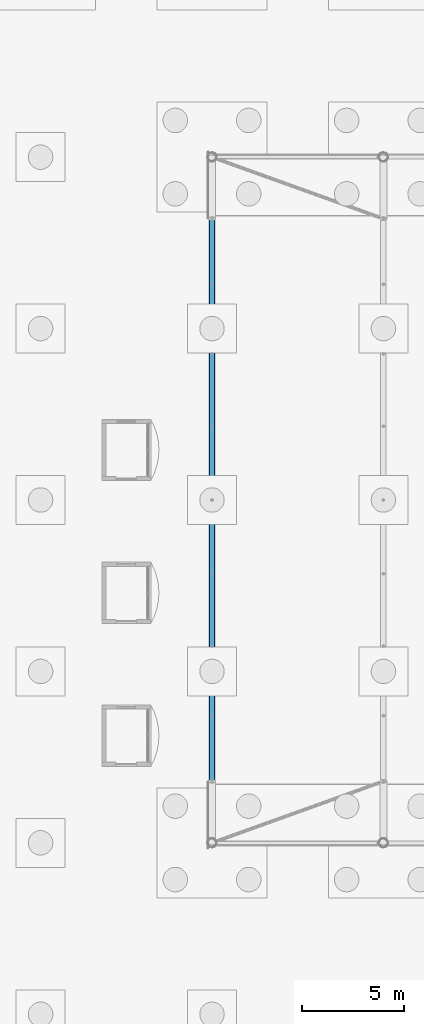
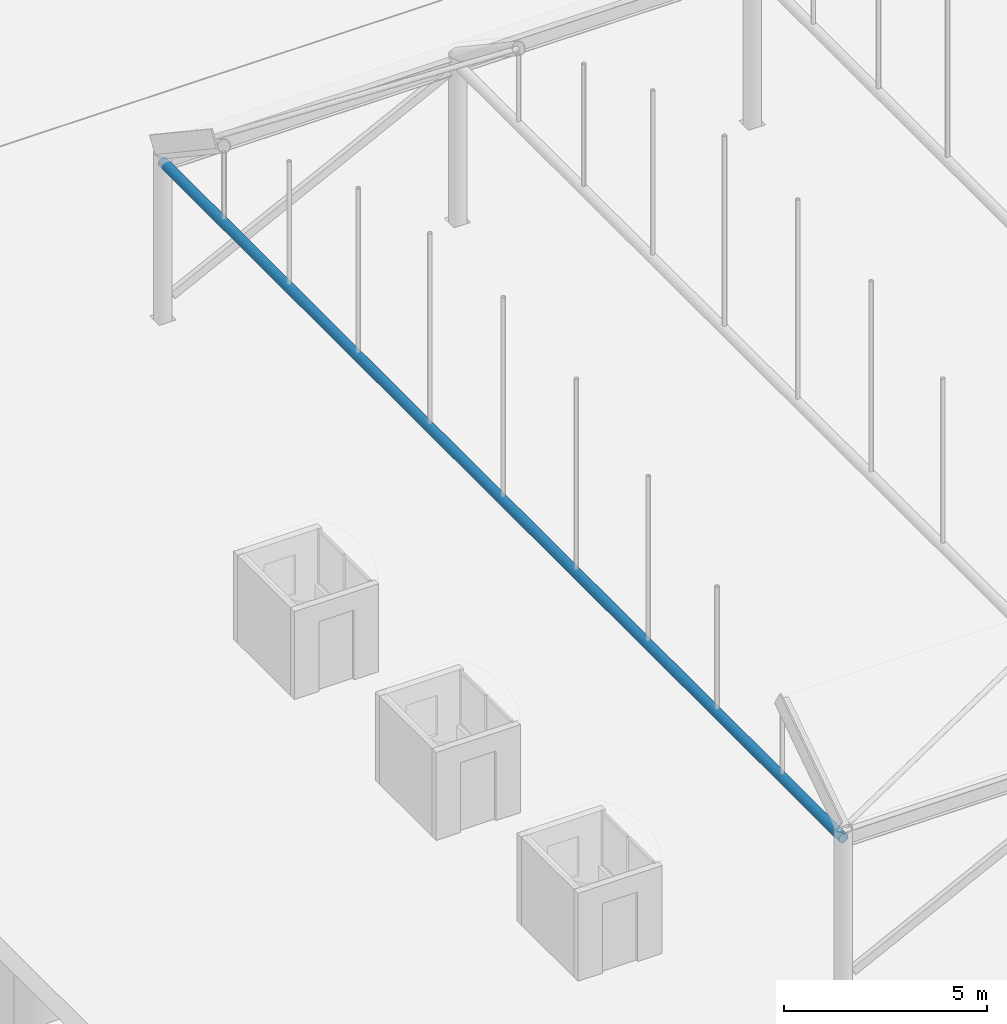
# One storey, part 44 of 212: 1 beam.
"""IFC4 building model written with IfcOpenShell, lengths in metres."""

from ifc_helpers import new_model, si_unit, direction, frame, origin, origin_2d, place, context, subcontext, project, spatial, hollow_circle, extrude, material, material_profile, profile_set, type_object, element, save


model = new_model("IFC4")

# Units and contexts
model_context = context("Model", 3, precision=1e-05, world=origin(), true_north=direction((0.0, 1.0)))
body_context = subcontext(model_context, "Body", "Model", "MODEL_VIEW")
ifc_project = project(units=[si_unit("LENGTHUNIT", "METRE"), si_unit("AREAUNIT", "SQUARE_METRE"), si_unit("VOLUMEUNIT", "CUBIC_METRE"), si_unit("PLANEANGLEUNIT", "RADIAN"), si_unit("MASSUNIT", "GRAM", prefix="KILO")], contexts=[model_context])

# Site, building, storey
site_placement = place(None, origin())
site = spatial("IfcSite", under=ifc_project, at=site_placement, CompositionType="ELEMENT")
building_placement = place(site_placement, origin())
building = spatial("IfcBuilding", under=site, at=building_placement, Name="Catenary Quay Ferry Terminal", CompositionType="ELEMENT")
storey_placement = place(building_placement, origin())
storey = spatial("IfcBuildingStorey", under=building, at=storey_placement, Name="L00", CompositionType="ELEMENT", Elevation=0.0)

# Beam
ifc_material = material(Name="Steel S355", Category="steel")
ifc_material_profile = material_profile(ifc_material, hollow_circle(Radius=0.136474609375, WallThickness=0.012451171875, at=origin_2d()), Name="CHS 273x12.5")
ifc_profile_set = profile_set([ifc_material_profile], Name="Steel S355")
beam_type = type_object("IfcBeamType", Name="TB1 CHS 273x12.5", PredefinedType="BEAM", material=ifc_profile_set)
beam_placement = place(storey_placement, frame((16.800048828125, 16.800048828125, 4.699951171875), z_axis=(0.0, 1.0, 0.0), x_axis=(-1.0, 0.0, 0.0)))
element("IfcBeam", 1, at=beam_placement, inside=storey, type_object=beam_type, Name="tie beam CA-01", PredefinedType="BEAM", context=body_context, shape_type="SweptSolid", body=[
    extrude(hollow_circle(Radius=0.136474609375, WallThickness=0.012451171875, at=origin_2d()), origin(), (0.0, 0.0, 1.0), 33.599853515625),
])

save(model, "model.ifc")
